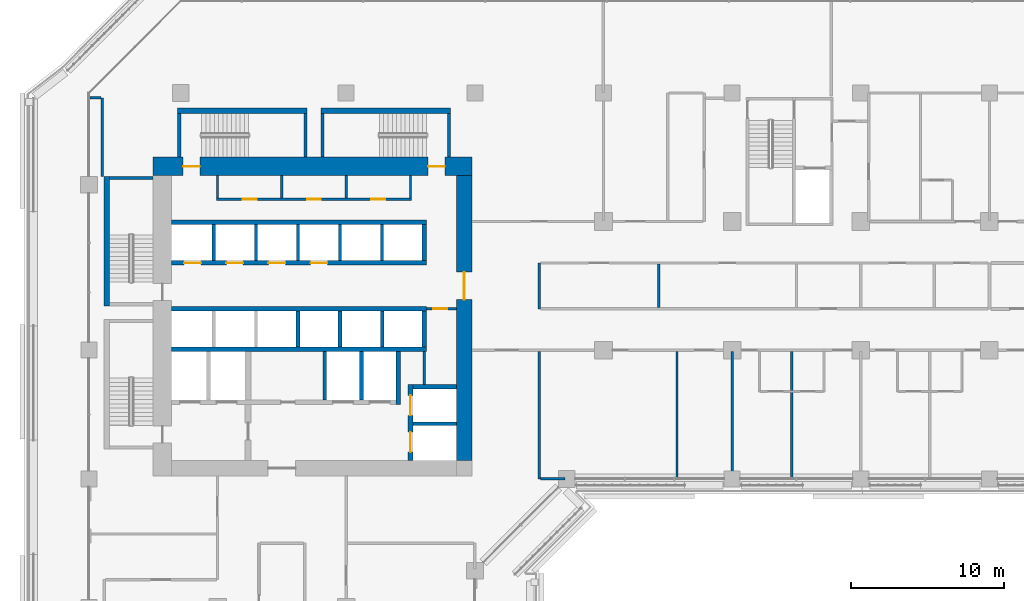
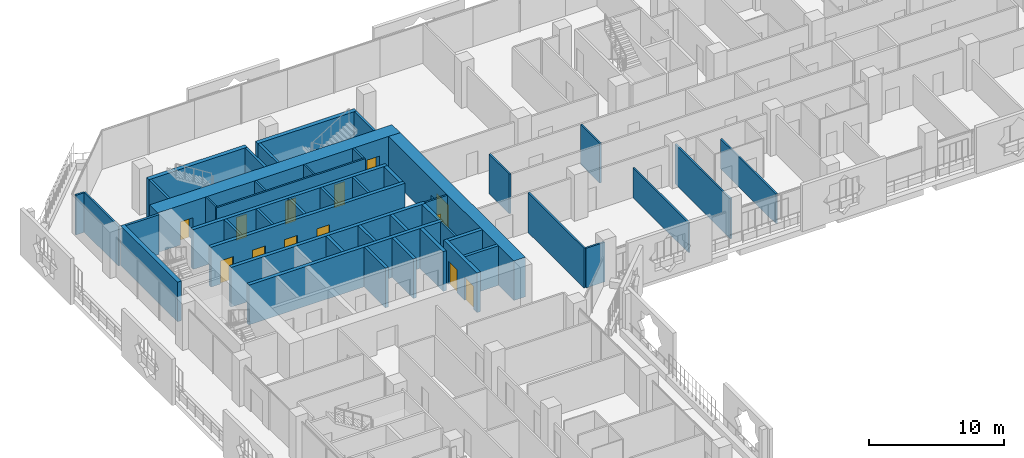
# One storey, part 14 of 25: 46 walls, 13 doors, 13 openings.
"""IFC4 building model written with IfcOpenShell, lengths in metres."""

from ifc_helpers import new_model, si_unit, direction, frame, frame_2d, origin, place, context, subcontext, project, spatial, rectangle, extrude, material, layer, layer_set, type_object, element, fill, save


model = new_model("IFC4")

# Units and contexts
model_context = context("Model", 3, precision=1e-05, world=origin(), true_north=direction((0.0, 1.0)))
body_context = subcontext(model_context, "Body", "Model", "MODEL_VIEW")
ifc_project = project(units=[si_unit("LENGTHUNIT", "METRE"), si_unit("AREAUNIT", "SQUARE_METRE"), si_unit("VOLUMEUNIT", "CUBIC_METRE"), si_unit("PLANEANGLEUNIT", "RADIAN"), si_unit("MASSUNIT", "GRAM", prefix="KILO")], contexts=[model_context])

# Site, building, storey
site_placement = place(None, origin())
site = spatial("IfcSite", under=ifc_project, at=site_placement, CompositionType="ELEMENT")
building_placement = place(site_placement, origin())
building = spatial("IfcBuilding", under=site, at=building_placement, Name="Kawkab Arch Medical Tower", CompositionType="ELEMENT")
storey_placement = place(building_placement, frame((0.0, 0.0, 145.0)))
storey = spatial("IfcBuildingStorey", under=building, at=storey_placement, Name="L33", CompositionType="ELEMENT", Elevation=145.0)

# Wall, opening, door
ifc_material_1 = material(Name="Concrete C60/75", Category="concrete")
ifc_layer_1 = layer(ifc_material_1, 1.0)
ifc_layer_set_1 = layer_set([ifc_layer_1], Name="Concrete C60/75")
wall_type_1 = type_object("IfcWallType", Name="Core ring wall 1000 C60/75", PredefinedType="SHEAR", material=ifc_layer_set_1)
wall_1_placement = place(storey_placement, frame((24.5, -24.0, 0.0), z_axis=(0.0, 0.0, 1.0), x_axis=(0.0, 1.0, 0.0)))
wall_1 = element("IfcWall", 1, at=wall_1_placement, inside=storey, type_object=wall_type_1, Name="L33 core wall", PredefinedType="SHEAR", context=body_context, shape_type="SweptSolid", body=[
    extrude(rectangle(XDim=18.60009765625, YDim=1.0, at=frame_2d((9.300048828125, 0.0))), origin(), (0.0, 0.0, 1.0), 3.60009765625),
])
opening_1_placement = place(wall_1_placement, frame((10.5, 0.0, 0.0)))
opening_1 = element("IfcOpeningElement", 2, at=opening_1_placement, cuts=wall_1, Name="Opening PD", PredefinedType="OPENING", context=body_context, shape_type="SweptSolid", body=[
    extrude(rectangle(XDim=1.800048828125, YDim=2.10009765625, at=frame_2d((0.89990234375, 1.050048828125))), frame((0.0, 0.510009765625, 0.0), z_axis=(0.0, -1.0, 0.0), x_axis=(1.0, 0.0, 0.0)), (0.0, 0.0, 1.0), 1.02001953125),
])
ifc_material_2 = material(Name="Hollow metal fire door leaf")
door_type_1 = type_object("IfcDoorType", Name="Core entrance doors 1800", OperationType="DOUBLE_DOOR_SINGLE_SWING", PredefinedType="DOOR", material=ifc_material_2)
door_1_placement = place(opening_1_placement, origin())
door_1 = element("IfcDoor", 3, at=door_1_placement, inside=storey, type_object=door_type_1, Name="L33 East entrance doors", OperationType="DOUBLE_DOOR_SINGLE_SWING", OverallHeight=2.10009765625, OverallWidth=1.800048828125, PredefinedType="DOOR", context=body_context, shape_type="SweptSolid", body=[
    extrude(rectangle(XDim=1.800048828125, YDim=2.10009765625, at=frame_2d((0.89990234375, 1.050048828125))), frame((0.0, 0.02490234375, 0.0), z_axis=(0.0, -1.0, 0.0), x_axis=(1.0, 0.0, 0.0)), (0.0, 0.0, 1.0), 0.050048828125),
])
fill(opening_1, door_1)

# Wall, openings, doors
ifc_material_3 = material(Name="Concrete C60/75", Category="concrete")
ifc_layer_2 = layer(ifc_material_3, 1.199951171875)
ifc_layer_set_2 = layer_set([ifc_layer_2], Name="Concrete C60/75")
wall_type_2 = type_object("IfcWallType", Name="Core ring wall 1200 C60/75", PredefinedType="SHEAR", material=ifc_layer_set_2)
wall_2_placement = place(storey_placement, frame((4.199951171875, -4.800048828125, 0.0), z_axis=(0.0, 0.0, 1.0), x_axis=(1.0, 0.0, 0.0)))
wall_2 = element("IfcWall", 4, at=wall_2_placement, inside=storey, type_object=wall_type_2, Name="L33 core wall", PredefinedType="SHEAR", context=body_context, shape_type="SweptSolid", body=[
    extrude(rectangle(XDim=20.800048828125, YDim=1.199951171875, at=frame_2d((10.39990234375, 0.0))), origin(), (0.0, 0.0, 1.0), 3.60009765625),
])
opening_2_placement = place(wall_2_placement, frame((1.949951171875, 0.0, 0.0)))
opening_2 = element("IfcOpeningElement", 5, at=opening_2_placement, cuts=wall_2, Name="Opening SD", PredefinedType="OPENING", context=body_context, shape_type="SweptSolid", body=[
    extrude(rectangle(XDim=1.10009765625, YDim=2.10009765625, at=frame_2d((0.550048828125, 1.050048828125))), frame((0.0, 0.60986328125, 0.0), z_axis=(0.0, -1.0, 0.0), x_axis=(1.0, 0.0, 0.0)), (0.0, 0.0, 1.0), 1.219970703125),
])
opening_3_placement = place(wall_2_placement, frame((17.949951171875, 0.0, 0.0)))
opening_3 = element("IfcOpeningElement", 6, at=opening_3_placement, cuts=wall_2, Name="Opening SD", PredefinedType="OPENING", context=body_context, shape_type="SweptSolid", body=[
    extrude(rectangle(XDim=1.10009765625, YDim=2.10009765625, at=frame_2d((0.550048828125, 1.050048828125))), frame((0.0, 0.60986328125, 0.0), z_axis=(0.0, -1.0, 0.0), x_axis=(1.0, 0.0, 0.0)), (0.0, 0.0, 1.0), 1.219970703125),
])
ifc_material_4 = material(Name="Hollow metal fire door leaf")
door_type_2 = type_object("IfcDoorType", Name="Exit stair door 1100", OperationType="SINGLE_SWING_LEFT", PredefinedType="DOOR", material=ifc_material_4)
door_2_placement = place(opening_2_placement, origin())
door_2 = element("IfcDoor", 7, at=door_2_placement, inside=storey, type_object=door_type_2, Name="L33 Exit stair ST3 door", OperationType="SINGLE_SWING_LEFT", OverallHeight=2.10009765625, OverallWidth=1.10009765625, PredefinedType="DOOR", context=body_context, shape_type="SweptSolid", body=[
    extrude(rectangle(XDim=1.10009765625, YDim=2.10009765625, at=frame_2d((0.550048828125, 1.050048828125))), frame((0.0, 0.02490234375, 0.0), z_axis=(0.0, -1.0, 0.0), x_axis=(1.0, 0.0, 0.0)), (0.0, 0.0, 1.0), 0.050048828125),
])
fill(opening_2, door_2)
door_3_placement = place(opening_3_placement, origin())
door_3 = element("IfcDoor", 8, at=door_3_placement, inside=storey, type_object=door_type_2, Name="L33 Exit stair ST4 door", OperationType="SINGLE_SWING_LEFT", OverallHeight=2.10009765625, OverallWidth=1.10009765625, PredefinedType="DOOR", context=body_context, shape_type="SweptSolid", body=[
    extrude(rectangle(XDim=1.10009765625, YDim=2.10009765625, at=frame_2d((0.550048828125, 1.050048828125))), frame((0.0, 0.02490234375, 0.0), z_axis=(0.0, -1.0, 0.0), x_axis=(1.0, 0.0, 0.0)), (0.0, 0.0, 1.0), 0.050048828125),
])
fill(opening_3, door_3)

# Wall
ifc_material_5 = material(Name="Gypsum board on steel studs", Category="steel")
ifc_layer_3 = layer(ifc_material_5, 0.14990234375)
ifc_layer_set_3 = layer_set([ifc_layer_3], Name="Gypsum board on steel studs")
wall_type_3 = type_object("IfcWallType", Name="Core room partition 150", PredefinedType="PARTITIONING", material=ifc_layer_set_3)
wall_3_placement = place(storey_placement, frame((21.89990234375, -19.050048828125, 0.0), z_axis=(0.0, 0.0, 1.0), x_axis=(0.0, 1.0, 0.0)))
element("IfcWall", 9, at=wall_3_placement, inside=storey, type_object=wall_type_3, Name="L33 core room partition", PredefinedType="PARTITIONING", context=body_context, shape_type="SweptSolid", body=[
    extrude(rectangle(XDim=2.150146484375, YDim=0.14990234375, at=frame_2d((1.0751953125, 0.0))), origin(), (0.0, 0.0, 1.0), 3.60009765625),
])

# Wall, opening, door
wall_4_placement = place(storey_placement, frame((22.050048828125, -14.10009765625, 0.0), z_axis=(0.0, 0.0, 1.0), x_axis=(1.0, 0.0, 0.0)))
wall_4 = element("IfcWall", 10, at=wall_4_placement, inside=storey, type_object=wall_type_3, Name="L33 core room partition", PredefinedType="PARTITIONING", context=body_context, shape_type="SweptSolid", body=[
    extrude(rectangle(XDim=1.949951171875, YDim=0.14990234375, at=frame_2d((0.97509765625, 0.0))), origin(), (0.0, 0.0, 1.0), 3.60009765625),
])
opening_4_placement = place(wall_4_placement, frame((0.449951171875, 0.0, 0.0)))
opening_4 = element("IfcOpeningElement", 11, at=opening_4_placement, cuts=wall_4, Name="Opening RD", PredefinedType="OPENING", context=body_context, shape_type="SweptSolid", body=[
    extrude(rectangle(XDim=0.89990234375, YDim=2.10009765625, at=frame_2d((0.449951171875, 1.050048828125))), frame((0.0, 0.0849609375, 0.0), z_axis=(0.0, -1.0, 0.0), x_axis=(1.0, 0.0, 0.0)), (0.0, 0.0, 1.0), 0.169921875),
])
ifc_material_6 = material(Name="Hollow metal fire door leaf")
door_type_3 = type_object("IfcDoorType", Name="Core room door 900", OperationType="SINGLE_SWING_LEFT", PredefinedType="DOOR", material=ifc_material_6)
door_4_placement = place(opening_4_placement, origin())
door_4 = element("IfcDoor", 12, at=door_4_placement, inside=storey, type_object=door_type_3, Name="L33 Clean utility room door", OperationType="SINGLE_SWING_LEFT", OverallHeight=2.10009765625, OverallWidth=0.89990234375, PredefinedType="DOOR", context=body_context, shape_type="SweptSolid", body=[
    extrude(rectangle(XDim=0.89990234375, YDim=2.10009765625, at=frame_2d((0.449951171875, 1.050048828125))), frame((0.0, 0.02490234375, 0.0), z_axis=(0.0, -1.0, 0.0), x_axis=(1.0, 0.0, 0.0)), (0.0, 0.0, 1.0), 0.050048828125),
])
fill(opening_4, door_4)

# Wall, openings, doors
wall_5_placement = place(storey_placement, frame((8.324951171875, -6.949951171875, 0.0), z_axis=(0.0, 0.0, 1.0), x_axis=(1.0, 0.0, 0.0)))
wall_5 = element("IfcWall", 13, at=wall_5_placement, inside=storey, type_object=wall_type_3, Name="L33 core room partition", PredefinedType="PARTITIONING", context=body_context, shape_type="SweptSolid", body=[
    extrude(rectangle(XDim=12.75, YDim=0.14990234375, at=frame_2d((6.375, 0.0))), origin(), (0.0, 0.0, 1.0), 3.60009765625),
])
opening_5_placement = place(wall_5_placement, frame((1.72509765625, 0.0, 0.0)))
opening_5 = element("IfcOpeningElement", 14, at=opening_5_placement, cuts=wall_5, Name="Opening RD", PredefinedType="OPENING", context=body_context, shape_type="SweptSolid", body=[
    extrude(rectangle(XDim=0.89990234375, YDim=2.10009765625, at=frame_2d((0.449951171875, 1.050048828125))), frame((0.0, 0.0849609375, 0.0), z_axis=(0.0, -1.0, 0.0), x_axis=(1.0, 0.0, 0.0)), (0.0, 0.0, 1.0), 0.169921875),
])
opening_6_placement = place(wall_5_placement, frame((5.925048828125, 0.0, 0.0)))
opening_6 = element("IfcOpeningElement", 15, at=opening_6_placement, cuts=wall_5, Name="Opening RD", PredefinedType="OPENING", context=body_context, shape_type="SweptSolid", body=[
    extrude(rectangle(XDim=0.89990234375, YDim=2.10009765625, at=frame_2d((0.449951171875, 1.050048828125))), frame((0.0, 0.0849609375, 0.0), z_axis=(0.0, -1.0, 0.0), x_axis=(1.0, 0.0, 0.0)), (0.0, 0.0, 1.0), 0.169921875),
])
opening_7_placement = place(wall_5_placement, frame((10.125, 0.0, 0.0)))
opening_7 = element("IfcOpeningElement", 16, at=opening_7_placement, cuts=wall_5, Name="Opening RD", PredefinedType="OPENING", context=body_context, shape_type="SweptSolid", body=[
    extrude(rectangle(XDim=0.89990234375, YDim=2.10009765625, at=frame_2d((0.449951171875, 1.050048828125))), frame((0.0, 0.0849609375, 0.0), z_axis=(0.0, -1.0, 0.0), x_axis=(1.0, 0.0, 0.0)), (0.0, 0.0, 1.0), 0.169921875),
])
door_5_placement = place(opening_5_placement, origin())
door_5 = element("IfcDoor", 17, at=door_5_placement, inside=storey, type_object=door_type_3, Name="L33 Electrical riser room door", OperationType="SINGLE_SWING_LEFT", OverallHeight=2.10009765625, OverallWidth=0.89990234375, PredefinedType="DOOR", context=body_context, shape_type="SweptSolid", body=[
    extrude(rectangle(XDim=0.89990234375, YDim=2.10009765625, at=frame_2d((0.449951171875, 1.050048828125))), frame((0.0, 0.02490234375, 0.0), z_axis=(0.0, -1.0, 0.0), x_axis=(1.0, 0.0, 0.0)), (0.0, 0.0, 1.0), 0.050048828125),
])
fill(opening_5, door_5)
door_6_placement = place(opening_6_placement, origin())
door_6 = element("IfcDoor", 18, at=door_6_placement, inside=storey, type_object=door_type_3, Name="L33 Equipment store door", OperationType="SINGLE_SWING_LEFT", OverallHeight=2.10009765625, OverallWidth=0.89990234375, PredefinedType="DOOR", context=body_context, shape_type="SweptSolid", body=[
    extrude(rectangle(XDim=0.89990234375, YDim=2.10009765625, at=frame_2d((0.449951171875, 1.050048828125))), frame((0.0, 0.02490234375, 0.0), z_axis=(0.0, -1.0, 0.0), x_axis=(1.0, 0.0, 0.0)), (0.0, 0.0, 1.0), 0.050048828125),
])
fill(opening_6, door_6)
door_7_placement = place(opening_7_placement, origin())
door_7 = element("IfcDoor", 19, at=door_7_placement, inside=storey, type_object=door_type_3, Name="L33 Sprinkler valve room door", OperationType="SINGLE_SWING_LEFT", OverallHeight=2.10009765625, OverallWidth=0.89990234375, PredefinedType="DOOR", context=body_context, shape_type="SweptSolid", body=[
    extrude(rectangle(XDim=0.89990234375, YDim=2.10009765625, at=frame_2d((0.449951171875, 1.050048828125))), frame((0.0, 0.02490234375, 0.0), z_axis=(0.0, -1.0, 0.0), x_axis=(1.0, 0.0, 0.0)), (0.0, 0.0, 1.0), 0.050048828125),
])
fill(opening_7, door_7)

# Walls
for number, where, z_axis, x_axis, name in (
    (20, (8.39990234375, -6.875, 0.0), (0.0, 0.0, 1.0), (0.0, 1.0, 0.0), "L33 core room partition"),
    (21, (12.60009765625, -6.875, 0.0), (0.0, 0.0, 1.0), (0.0, 1.0, 0.0), "L33 core room partition"),
    (22, (16.800048828125, -6.875, 0.0), (0.0, 0.0, 1.0), (0.0, 1.0, 0.0), "L33 core room partition"),
    (23, (21.0, -6.875, 0.0), (0.0, 0.0, 1.0), (0.0, 1.0, 0.0), "L33 core room partition"),
):
    element("IfcWall", number, at=place(storey_placement, frame(where, z_axis=z_axis, x_axis=x_axis)), inside=storey, type_object=wall_type_3, Name=name, PredefinedType="PARTITIONING", context=body_context, shape_type="SweptSolid", body=[
        extrude(rectangle(XDim=1.47509765625, YDim=0.14990234375, at=frame_2d((0.737548828125, 0.0))), origin(), (0.0, 0.0, 1.0), 3.60009765625),
    ])
ifc_material_7 = material(Name="Concrete C60/75", Category="concrete")
ifc_layer_4 = layer(ifc_material_7, 0.25)
ifc_layer_set_4 = layer_set([ifc_layer_4], Name="Concrete C60/75")
wall_type_4 = type_object("IfcWallType", Name="Core shear wall 250 C60/75", PredefinedType="SHEAR", material=ifc_layer_set_4)
wall_6_placement = place(storey_placement, frame((21.14990234375, -21.60009765625, 0.0), z_axis=(0.0, 0.0, 1.0), x_axis=(1.0, 0.0, 0.0)))
element("IfcWall", 24, at=wall_6_placement, inside=storey, type_object=wall_type_4, Name="L33 core shear wall", PredefinedType="SHEAR", context=body_context, shape_type="SweptSolid", body=[
    extrude(rectangle(XDim=2.85009765625, YDim=0.25, at=frame_2d((1.425048828125, 0.0))), origin(), (0.0, 0.0, 1.0), 3.60009765625),
])
for number, where, z_axis, x_axis, name in (
    (25, (15.39990234375, -20.050048828125, 0.0), (0.0, 0.0, 1.0), (0.0, 1.0, 0.0), "L33 core shear wall"),
    (26, (17.800048828125, -20.050048828125, 0.0), (0.0, 0.0, 1.0), (0.0, 1.0, 0.0), "L33 core shear wall"),
):
    element("IfcWall", number, at=place(storey_placement, frame(where, z_axis=z_axis, x_axis=x_axis)), inside=storey, type_object=wall_type_4, Name=name, PredefinedType="SHEAR", context=body_context, shape_type="SweptSolid", body=[
        extrude(rectangle(XDim=3.150146484375, YDim=0.25, at=frame_2d((1.5751953125, 0.0))), origin(), (0.0, 0.0, 1.0), 3.60009765625),
    ])
for number, where, z_axis, x_axis, name in (
    (27, (13.64990234375, -16.60009765625, 0.0), (0.0, 0.0, 1.0), (0.0, 1.0, 0.0), "L33 core shear wall"),
    (28, (16.39990234375, -16.60009765625, 0.0), (0.0, 0.0, 1.0), (0.0, 1.0, 0.0), "L33 core shear wall"),
    (29, (19.14990234375, -16.60009765625, 0.0), (0.0, 0.0, 1.0), (0.0, 1.0, 0.0), "L33 core shear wall"),
):
    element("IfcWall", number, at=place(storey_placement, frame(where, z_axis=z_axis, x_axis=x_axis)), inside=storey, type_object=wall_type_4, Name=name, PredefinedType="SHEAR", context=body_context, shape_type="SweptSolid", body=[
        extrude(rectangle(XDim=2.35009765625, YDim=0.25, at=frame_2d((1.175048828125, 0.0))), origin(), (0.0, 0.0, 1.0), 3.60009765625),
    ])
ifc_material_8 = material(Name="Concrete C60/75", Category="concrete")
ifc_layer_5 = layer(ifc_material_8, 0.300048828125)
ifc_layer_set_5 = layer_set([ifc_layer_5], Name="Concrete C60/75")
wall_type_5 = type_object("IfcWallType", Name="Core shear wall 300 C60/75", PredefinedType="SHEAR", material=ifc_layer_set_5)
wall_7_placement = place(storey_placement, frame((5.39990234375, -8.449951171875, 0.0), z_axis=(0.0, 0.0, 1.0), x_axis=(1.0, 0.0, 0.0)))
element("IfcWall", 30, at=wall_7_placement, inside=storey, type_object=wall_type_5, Name="L33 core shear wall", PredefinedType="SHEAR", context=body_context, shape_type="SweptSolid", body=[
    extrude(rectangle(XDim=16.650146484375, YDim=0.300048828125, at=frame_2d((8.3251953125, 0.0))), origin(), (0.0, 0.0, 1.0), 3.60009765625),
])

# Wall, openings, doors
wall_8_placement = place(storey_placement, frame((5.39990234375, -11.10009765625, 0.0), z_axis=(0.0, 0.0, 1.0), x_axis=(1.0, 0.0, 0.0)))
wall_8 = element("IfcWall", 31, at=wall_8_placement, inside=storey, type_object=wall_type_5, Name="L33 core shear wall", PredefinedType="SHEAR", context=body_context, shape_type="SweptSolid", body=[
    extrude(rectangle(XDim=16.650146484375, YDim=0.300048828125, at=frame_2d((8.3251953125, 0.0))), origin(), (0.0, 0.0, 1.0), 3.60009765625),
])
opening_8_placement = place(wall_8_placement, frame((0.824951171875, 0.0, 0.0)))
opening_8 = element("IfcOpeningElement", 32, at=opening_8_placement, cuts=wall_8, Name="Opening LD1", PredefinedType="OPENING", context=body_context, shape_type="SweptSolid", body=[
    extrude(rectangle(XDim=1.10009765625, YDim=2.10009765625, at=frame_2d((0.550048828125, 1.050048828125))), frame((0.0, 0.159912109375, 0.0), z_axis=(0.0, -1.0, 0.0), x_axis=(1.0, 0.0, 0.0)), (0.0, 0.0, 1.0), 0.320068359375),
])
opening_9_placement = place(wall_8_placement, frame((3.574951171875, 0.0, 0.0)))
opening_9 = element("IfcOpeningElement", 33, at=opening_9_placement, cuts=wall_8, Name="Opening LD1", PredefinedType="OPENING", context=body_context, shape_type="SweptSolid", body=[
    extrude(rectangle(XDim=1.10009765625, YDim=2.10009765625, at=frame_2d((0.550048828125, 1.050048828125))), frame((0.0, 0.159912109375, 0.0), z_axis=(0.0, -1.0, 0.0), x_axis=(1.0, 0.0, 0.0)), (0.0, 0.0, 1.0), 0.320068359375),
])
opening_10_placement = place(wall_8_placement, frame((6.324951171875, 0.0, 0.0)))
opening_10 = element("IfcOpeningElement", 34, at=opening_10_placement, cuts=wall_8, Name="Opening LD1", PredefinedType="OPENING", context=body_context, shape_type="SweptSolid", body=[
    extrude(rectangle(XDim=1.10009765625, YDim=2.10009765625, at=frame_2d((0.550048828125, 1.050048828125))), frame((0.0, 0.159912109375, 0.0), z_axis=(0.0, -1.0, 0.0), x_axis=(1.0, 0.0, 0.0)), (0.0, 0.0, 1.0), 0.320068359375),
])
opening_11_placement = place(wall_8_placement, frame((9.074951171875, 0.0, 0.0)))
opening_11 = element("IfcOpeningElement", 35, at=opening_11_placement, cuts=wall_8, Name="Opening LD1", PredefinedType="OPENING", context=body_context, shape_type="SweptSolid", body=[
    extrude(rectangle(XDim=1.10009765625, YDim=2.10009765625, at=frame_2d((0.550048828125, 1.050048828125))), frame((0.0, 0.159912109375, 0.0), z_axis=(0.0, -1.0, 0.0), x_axis=(1.0, 0.0, 0.0)), (0.0, 0.0, 1.0), 0.320068359375),
])
ifc_material_9 = material(Name="Stainless steel lift door leaf", Category="steel")
door_type_4 = type_object("IfcDoorType", Name="Lift landing door 1100", OperationType="DOUBLE_DOOR_SLIDING", PredefinedType="DOOR", material=ifc_material_9)
door_8_placement = place(opening_8_placement, origin())
door_8 = element("IfcDoor", 36, at=door_8_placement, inside=storey, type_object=door_type_4, Name="L33 Lift landing door LP1", OperationType="DOUBLE_DOOR_SLIDING", OverallHeight=2.10009765625, OverallWidth=1.10009765625, PredefinedType="DOOR", context=body_context, shape_type="SweptSolid", body=[
    extrude(rectangle(XDim=1.10009765625, YDim=2.10009765625, at=frame_2d((0.550048828125, 1.050048828125))), frame((0.0, 0.02490234375, 0.0), z_axis=(0.0, -1.0, 0.0), x_axis=(1.0, 0.0, 0.0)), (0.0, 0.0, 1.0), 0.050048828125),
])
fill(opening_8, door_8)
door_9_placement = place(opening_9_placement, origin())
door_9 = element("IfcDoor", 37, at=door_9_placement, inside=storey, type_object=door_type_4, Name="L33 Lift landing door LP2", OperationType="DOUBLE_DOOR_SLIDING", OverallHeight=2.10009765625, OverallWidth=1.10009765625, PredefinedType="DOOR", context=body_context, shape_type="SweptSolid", body=[
    extrude(rectangle(XDim=1.10009765625, YDim=2.10009765625, at=frame_2d((0.550048828125, 1.050048828125))), frame((0.0, 0.02490234375, 0.0), z_axis=(0.0, -1.0, 0.0), x_axis=(1.0, 0.0, 0.0)), (0.0, 0.0, 1.0), 0.050048828125),
])
fill(opening_9, door_9)
door_10_placement = place(opening_10_placement, origin())
door_10 = element("IfcDoor", 38, at=door_10_placement, inside=storey, type_object=door_type_4, Name="L33 Lift landing door LP3", OperationType="DOUBLE_DOOR_SLIDING", OverallHeight=2.10009765625, OverallWidth=1.10009765625, PredefinedType="DOOR", context=body_context, shape_type="SweptSolid", body=[
    extrude(rectangle(XDim=1.10009765625, YDim=2.10009765625, at=frame_2d((0.550048828125, 1.050048828125))), frame((0.0, 0.02490234375, 0.0), z_axis=(0.0, -1.0, 0.0), x_axis=(1.0, 0.0, 0.0)), (0.0, 0.0, 1.0), 0.050048828125),
])
fill(opening_10, door_10)
door_11_placement = place(opening_11_placement, origin())
door_11 = element("IfcDoor", 39, at=door_11_placement, inside=storey, type_object=door_type_4, Name="L33 Lift landing door LP4", OperationType="DOUBLE_DOOR_SLIDING", OverallHeight=2.10009765625, OverallWidth=1.10009765625, PredefinedType="DOOR", context=body_context, shape_type="SweptSolid", body=[
    extrude(rectangle(XDim=1.10009765625, YDim=2.10009765625, at=frame_2d((0.550048828125, 1.050048828125))), frame((0.0, 0.02490234375, 0.0), z_axis=(0.0, -1.0, 0.0), x_axis=(1.0, 0.0, 0.0)), (0.0, 0.0, 1.0), 0.050048828125),
])
fill(opening_11, door_11)

# Walls
for number, where, z_axis, x_axis, name in (
    (40, (5.39990234375, -14.10009765625, 0.0), (0.0, 0.0, 1.0), (1.0, 0.0, 0.0), "L33 core shear wall"),
    (41, (5.39990234375, -16.75, 0.0), (0.0, 0.0, 1.0), (1.0, 0.0, 0.0), "L33 core shear wall"),
):
    element("IfcWall", number, at=place(storey_placement, frame(where, z_axis=z_axis, x_axis=x_axis)), inside=storey, type_object=wall_type_5, Name=name, PredefinedType="SHEAR", context=body_context, shape_type="SweptSolid", body=[
        extrude(rectangle(XDim=16.650146484375, YDim=0.300048828125, at=frame_2d((8.3251953125, 0.0))), origin(), (0.0, 0.0, 1.0), 3.60009765625),
    ])
wall_9_placement = place(storey_placement, frame((20.199951171875, -20.35009765625, 0.0), z_axis=(0.0, 0.0, 1.0), x_axis=(0.0, 1.0, 0.0)))
element("IfcWall", 42, at=wall_9_placement, inside=storey, type_object=wall_type_5, Name="L33 core shear wall", PredefinedType="SHEAR", context=body_context, shape_type="SweptSolid", body=[
    extrude(rectangle(XDim=3.4501953125, YDim=0.300048828125, at=frame_2d((1.72509765625, 0.0))), origin(), (0.0, 0.0, 1.0), 3.60009765625),
])
wall_10_placement = place(storey_placement, frame((21.89990234375, -10.949951171875, 0.0), z_axis=(0.0, 0.0, 1.0), x_axis=(0.0, 1.0, 0.0)))
element("IfcWall", 43, at=wall_10_placement, inside=storey, type_object=wall_type_5, Name="L33 core shear wall", PredefinedType="SHEAR", context=body_context, shape_type="SweptSolid", body=[
    extrude(rectangle(XDim=2.349853515625, YDim=0.300048828125, at=frame_2d((1.1748046875, 0.0))), origin(), (0.0, 0.0, 1.0), 3.60009765625),
])
wall_11_placement = place(storey_placement, frame((21.89990234375, -16.60009765625, 0.0), z_axis=(0.0, 0.0, 1.0), x_axis=(0.0, 1.0, 0.0)))
element("IfcWall", 44, at=wall_11_placement, inside=storey, type_object=wall_type_5, Name="L33 core shear wall", PredefinedType="SHEAR", context=body_context, shape_type="SweptSolid", body=[
    extrude(rectangle(XDim=2.35009765625, YDim=0.300048828125, at=frame_2d((1.175048828125, 0.0))), origin(), (0.0, 0.0, 1.0), 3.60009765625),
])
wall_12_placement = place(storey_placement, frame((21.14990234375, -19.199951171875, 0.0), z_axis=(0.0, 0.0, 1.0), x_axis=(1.0, 0.0, 0.0)))
element("IfcWall", 45, at=wall_12_placement, inside=storey, type_object=wall_type_5, Name="L33 core shear wall", PredefinedType="SHEAR", context=body_context, shape_type="SweptSolid", body=[
    extrude(rectangle(XDim=2.85009765625, YDim=0.300048828125, at=frame_2d((1.425048828125, 0.0))), origin(), (0.0, 0.0, 1.0), 3.60009765625),
])

# Wall, openings, doors
wall_13_placement = place(storey_placement, frame((21.0, -24.0, 0.0), z_axis=(0.0, 0.0, 1.0), x_axis=(0.0, 1.0, 0.0)))
wall_13 = element("IfcWall", 46, at=wall_13_placement, inside=storey, type_object=wall_type_5, Name="L33 core shear wall", PredefinedType="SHEAR", context=body_context, shape_type="SweptSolid", body=[
    extrude(rectangle(XDim=4.949951171875, YDim=0.300048828125, at=frame_2d((2.47509765625, 0.0))), origin(), (0.0, 0.0, 1.0), 3.60009765625),
])
opening_12_placement = place(wall_13_placement, frame((2.949951171875, 0.0, 0.0)))
opening_12 = element("IfcOpeningElement", 47, at=opening_12_placement, cuts=wall_13, Name="Opening LD2", PredefinedType="OPENING", context=body_context, shape_type="SweptSolid", body=[
    extrude(rectangle(XDim=1.300048828125, YDim=2.10009765625, at=frame_2d((0.64990234375, 1.050048828125))), frame((0.0, 0.159912109375, 0.0), z_axis=(0.0, -1.0, 0.0), x_axis=(1.0, 0.0, 0.0)), (0.0, 0.0, 1.0), 0.320068359375),
])
opening_13_placement = place(wall_13_placement, frame((0.550048828125, 0.0, 0.0)))
opening_13 = element("IfcOpeningElement", 48, at=opening_13_placement, cuts=wall_13, Name="Opening LD2", PredefinedType="OPENING", context=body_context, shape_type="SweptSolid", body=[
    extrude(rectangle(XDim=1.300048828125, YDim=2.10009765625, at=frame_2d((0.64990234375, 1.050048828125))), frame((0.0, 0.159912109375, 0.0), z_axis=(0.0, -1.0, 0.0), x_axis=(1.0, 0.0, 0.0)), (0.0, 0.0, 1.0), 0.320068359375),
])
ifc_material_10 = material(Name="Stainless steel lift door leaf", Category="steel")
door_type_5 = type_object("IfcDoorType", Name="Lift landing door 1300", OperationType="DOUBLE_DOOR_SLIDING", PredefinedType="DOOR", material=ifc_material_10)
door_12_placement = place(opening_12_placement, origin())
door_12 = element("IfcDoor", 49, at=door_12_placement, inside=storey, type_object=door_type_5, Name="L33 Lift landing door BD1", OperationType="DOUBLE_DOOR_SLIDING", OverallHeight=2.10009765625, OverallWidth=1.300048828125, PredefinedType="DOOR", context=body_context, shape_type="SweptSolid", body=[
    extrude(rectangle(XDim=1.300048828125, YDim=2.10009765625, at=frame_2d((0.64990234375, 1.050048828125))), frame((0.0, 0.02490234375, 0.0), z_axis=(0.0, -1.0, 0.0), x_axis=(1.0, 0.0, 0.0)), (0.0, 0.0, 1.0), 0.050048828125),
])
fill(opening_12, door_12)
door_13_placement = place(opening_13_placement, origin())
door_13 = element("IfcDoor", 50, at=door_13_placement, inside=storey, type_object=door_type_5, Name="L33 Lift landing door BD2", OperationType="DOUBLE_DOOR_SLIDING", OverallHeight=2.10009765625, OverallWidth=1.300048828125, PredefinedType="DOOR", context=body_context, shape_type="SweptSolid", body=[
    extrude(rectangle(XDim=1.300048828125, YDim=2.10009765625, at=frame_2d((0.64990234375, 1.050048828125))), frame((0.0, 0.02490234375, 0.0), z_axis=(0.0, -1.0, 0.0), x_axis=(1.0, 0.0, 0.0)), (0.0, 0.0, 1.0), 0.050048828125),
])
fill(opening_13, door_13)

# Walls
ifc_material_11 = material(Name="Dense concrete blockwork", Category="masonry")
ifc_layer_6 = layer(ifc_material_11, 0.199951171875)
ifc_layer_set_6 = layer_set([ifc_layer_6], Name="Dense concrete blockwork")
wall_type_6 = type_object("IfcWallType", Name="Lift shaft partition 200", PredefinedType="PARTITIONING", material=ifc_layer_set_6)
for number, where, z_axis, x_axis, name in (
    (51, (8.14990234375, -10.949951171875, 0.0), (0.0, 0.0, 1.0), (0.0, 1.0, 0.0), "L33 lift shaft partition"),
    (52, (10.89990234375, -10.949951171875, 0.0), (0.0, 0.0, 1.0), (0.0, 1.0, 0.0), "L33 lift shaft partition"),
    (53, (13.64990234375, -10.949951171875, 0.0), (0.0, 0.0, 1.0), (0.0, 1.0, 0.0), "L33 lift shaft partition"),
    (54, (16.39990234375, -10.949951171875, 0.0), (0.0, 0.0, 1.0), (0.0, 1.0, 0.0), "L33 lift shaft partition"),
    (55, (19.14990234375, -10.949951171875, 0.0), (0.0, 0.0, 1.0), (0.0, 1.0, 0.0), "L33 lift shaft partition"),
):
    element("IfcWall", number, at=place(storey_placement, frame(where, z_axis=z_axis, x_axis=x_axis)), inside=storey, type_object=wall_type_6, Name=name, PredefinedType="PARTITIONING", context=body_context, shape_type="SweptSolid", body=[
        extrude(rectangle(XDim=2.349853515625, YDim=0.199951171875, at=frame_2d((1.1748046875, 0.0))), origin(), (0.0, 0.0, 1.0), 3.60009765625),
    ])
ifc_material_12 = material(Name="Gypsum board partition on steel studs, mineral wool", Category="steel")
ifc_layer_7 = layer(ifc_material_12, 0.14990234375)
ifc_layer_set_7 = layer_set([ifc_layer_7], Name="Gypsum board partition on steel studs, mineral wool")
wall_type_7 = type_object("IfcWallType", Name="Partition 150", PredefinedType="PARTITIONING", material=ifc_layer_set_7)
wall_14_placement = place(storey_placement, frame((29.47509765625, -25.199951171875, 0.0), z_axis=(0.0, 0.0, 1.0), x_axis=(1.0, 0.0, 0.0)))
element("IfcWall", 56, at=wall_14_placement, inside=storey, type_object=wall_type_7, Name="Partition 150 w036", PredefinedType="PARTITIONING", context=body_context, shape_type="SweptSolid", body=[
    extrude(rectangle(XDim=1.61181640625, YDim=0.14990234375, at=frame_2d((0.805908203125, 0.0))), origin(), (0.0, 0.0, 1.0), 3.60009765625),
])
wall_15_placement = place(storey_placement, frame((0.080078125, -0.320068359375, 0.0), z_axis=(0.0, 0.0, 1.0), x_axis=(1.0, 0.0, 0.0)))
element("IfcWall", 57, at=wall_15_placement, inside=storey, type_object=wall_type_7, Name="Partition 150 w048", PredefinedType="PARTITIONING", context=body_context, shape_type="SweptSolid", body=[
    extrude(rectangle(XDim=0.722900390625, YDim=0.14990234375, at=frame_2d((0.361328125, 0.0))), origin(), (0.0, 0.0, 1.0), 3.60009765625),
])
wall_16_placement = place(storey_placement, frame((0.8798828125, -5.449951171875, 0.0), z_axis=(0.0, 0.0, 1.0), x_axis=(0.0, 1.0, 0.0)))
element("IfcWall", 58, at=wall_16_placement, inside=storey, type_object=wall_type_7, Name="Partition 150 w052", PredefinedType="PARTITIONING", context=body_context, shape_type="SweptSolid", body=[
    extrude(rectangle(XDim=5.1279296875, YDim=0.14990234375, at=frame_2d((2.56396484375, 0.0))), origin(), (0.0, 0.0, 1.0), 3.60009765625),
])
wall_17_placement = place(storey_placement, frame((29.39990234375, -25.199951171875, 0.0), z_axis=(0.0, 0.0, 1.0), x_axis=(0.0, 1.0, 0.0)))
element("IfcWall", 59, at=wall_17_placement, inside=storey, type_object=wall_type_7, Name="Partition 150 w061", PredefinedType="PARTITIONING", context=body_context, shape_type="SweptSolid", body=[
    extrude(rectangle(XDim=8.324951171875, YDim=0.14990234375, at=frame_2d((4.16259765625, 0.0))), origin(), (0.0, 0.0, 1.0), 3.60009765625),
])
wall_18_placement = place(storey_placement, frame((29.39990234375, -14.10009765625, 0.0), z_axis=(0.0, 0.0, 1.0), x_axis=(0.0, 1.0, 0.0)))
element("IfcWall", 60, at=wall_18_placement, inside=storey, type_object=wall_type_7, Name="Partition 150 w062", PredefinedType="PARTITIONING", context=body_context, shape_type="SweptSolid", body=[
    extrude(rectangle(XDim=3.0, YDim=0.14990234375, at=frame_2d((1.5, 0.0))), origin(), (0.0, 0.0, 1.0), 3.60009765625),
])
wall_19_placement = place(storey_placement, frame((37.199951171875, -14.02490234375, 0.0), z_axis=(0.0, 0.0, 1.0), x_axis=(0.0, 1.0, 0.0)))
element("IfcWall", 61, at=wall_19_placement, inside=storey, type_object=wall_type_7, Name="Partition 150 w065", PredefinedType="PARTITIONING", context=body_context, shape_type="SweptSolid", body=[
    extrude(rectangle(XDim=2.849853515625, YDim=0.14990234375, at=frame_2d((1.4248046875, 0.0))), origin(), (0.0, 0.0, 1.0), 3.60009765625),
])
wall_20_placement = place(storey_placement, frame((38.39990234375, -25.1201171875, 0.0), z_axis=(0.0, 0.0, 1.0), x_axis=(0.0, 1.0, 0.0)))
element("IfcWall", 62, at=wall_20_placement, inside=storey, type_object=wall_type_7, Name="Partition 150 w067", PredefinedType="PARTITIONING", context=body_context, shape_type="SweptSolid", body=[
    extrude(rectangle(XDim=8.2451171875, YDim=0.14990234375, at=frame_2d((4.12255859375, 0.0))), origin(), (0.0, 0.0, 1.0), 2.699951171875),
])
wall_21_placement = place(storey_placement, frame((42.0, -25.1201171875, 0.0), z_axis=(0.0, 0.0, 1.0), x_axis=(0.0, 1.0, 0.0)))
element("IfcWall", 63, at=wall_21_placement, inside=storey, type_object=wall_type_7, Name="Partition 150 w070", PredefinedType="PARTITIONING", context=body_context, shape_type="SweptSolid", body=[
    extrude(rectangle(XDim=8.2451171875, YDim=0.14990234375, at=frame_2d((4.12255859375, 0.0))), origin(), (0.0, 0.0, 1.0), 3.60009765625),
])
wall_22_placement = place(storey_placement, frame((45.89990234375, -25.1201171875, 0.0), z_axis=(0.0, 0.0, 1.0), x_axis=(0.0, 1.0, 0.0)))
element("IfcWall", 64, at=wall_22_placement, inside=storey, type_object=wall_type_7, Name="Partition 150 w071", PredefinedType="PARTITIONING", context=body_context, shape_type="SweptSolid", body=[
    extrude(rectangle(XDim=8.2451171875, YDim=0.14990234375, at=frame_2d((4.12255859375, 0.0))), origin(), (0.0, 0.0, 1.0), 2.699951171875),
])
ifc_material_13 = material(Name="Concrete C50/60", Category="concrete")
ifc_layer_8 = layer(ifc_material_13, 0.199951171875)
ifc_layer_set_8 = layer_set([ifc_layer_8], Name="Concrete C50/60")
wall_type_8 = type_object("IfcWallType", Name="Stair enclosure wall 200 C50/60", PredefinedType="SHEAR", material=ifc_layer_set_8)
for number, where, z_axis, x_axis, name in (
    (65, (1.35009765625, -5.550048828125, 0.0), (0.0, 0.0, 1.0), (1.0, 0.0, 0.0), "L33 stair enclosure wall"),
    (66, (5.89990234375, -4.199951171875, 0.0), (0.0, 0.0, 1.0), (0.0, 1.0, 0.0), "L33 stair enclosure wall"),
    (67, (14.14990234375, -4.199951171875, 0.0), (0.0, 0.0, 1.0), (0.0, 1.0, 0.0), "L33 stair enclosure wall"),
    (68, (15.25, -4.199951171875, 0.0), (0.0, 0.0, 1.0), (0.0, 1.0, 0.0), "L33 stair enclosure wall"),
    (69, (23.5, -4.199951171875, 0.0), (0.0, 0.0, 1.0), (0.0, 1.0, 0.0), "L33 stair enclosure wall"),
):
    element("IfcWall", number, at=place(storey_placement, frame(where, z_axis=z_axis, x_axis=x_axis)), inside=storey, type_object=wall_type_8, Name=name, PredefinedType="SHEAR", context=body_context, shape_type="SweptSolid", body=[
        extrude(rectangle(XDim=2.849853515625, YDim=0.199951171875, at=frame_2d((1.4248046875, 0.0))), origin(), (0.0, 0.0, 1.0), 3.60009765625),
    ])
ifc_material_14 = material(Name="Concrete C50/60", Category="concrete")
ifc_layer_9 = layer(ifc_material_14, 0.35009765625)
ifc_layer_set_9 = layer_set([ifc_layer_9], Name="Concrete C50/60")
wall_type_9 = type_object("IfcWallType", Name="Stair enclosure wall 350 C50/60", PredefinedType="SHEAR", material=ifc_layer_set_9)
for number, where, z_axis, x_axis, name in (
    (70, (1.175048828125, -13.89990234375, 0.0), (0.0, 0.0, 1.0), (0.0, 1.0, 0.0), "L33 stair enclosure wall"),
    (71, (5.800048828125, -1.175048828125, 0.0), (0.0, 0.0, 1.0), (1.0, 0.0, 0.0), "L33 stair enclosure wall"),
):
    element("IfcWall", number, at=place(storey_placement, frame(where, z_axis=z_axis, x_axis=x_axis)), inside=storey, type_object=wall_type_9, Name=name, PredefinedType="SHEAR", context=body_context, shape_type="SweptSolid", body=[
        extrude(rectangle(XDim=8.449951171875, YDim=0.35009765625, at=frame_2d((4.22509765625, 0.0))), origin(), (0.0, 0.0, 1.0), 3.60009765625),
    ])
wall_23_placement = place(storey_placement, frame((15.14990234375, -1.175048828125, 0.0), z_axis=(0.0, 0.0, 1.0), x_axis=(1.0, 0.0, 0.0)))
element("IfcWall", 72, at=wall_23_placement, inside=storey, type_object=wall_type_9, Name="L33 stair enclosure wall", PredefinedType="SHEAR", context=body_context, shape_type="SweptSolid", body=[
    extrude(rectangle(XDim=8.4501953125, YDim=0.35009765625, at=frame_2d((4.22509765625, 0.0))), origin(), (0.0, 0.0, 1.0), 3.60009765625),
])

save(model, "model.ifc")
